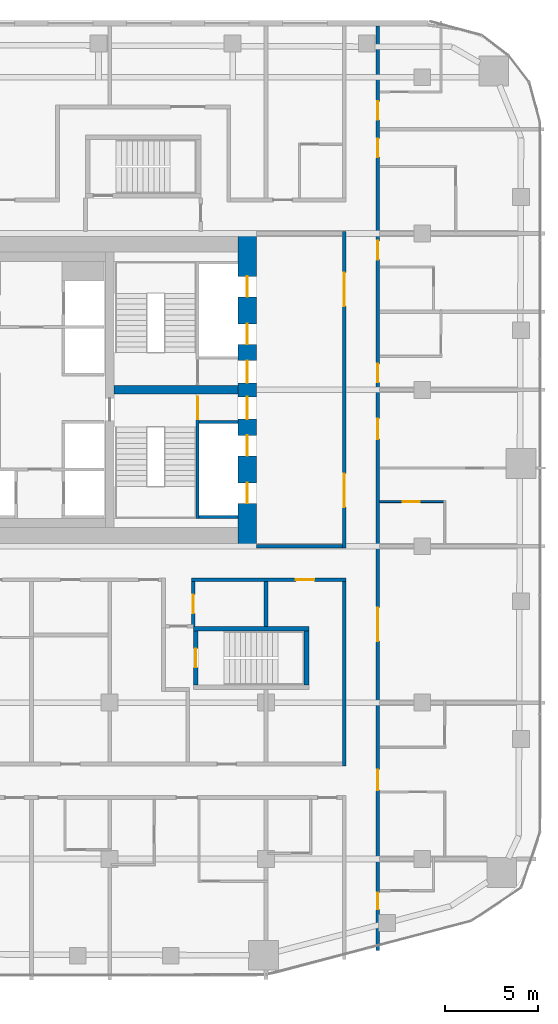
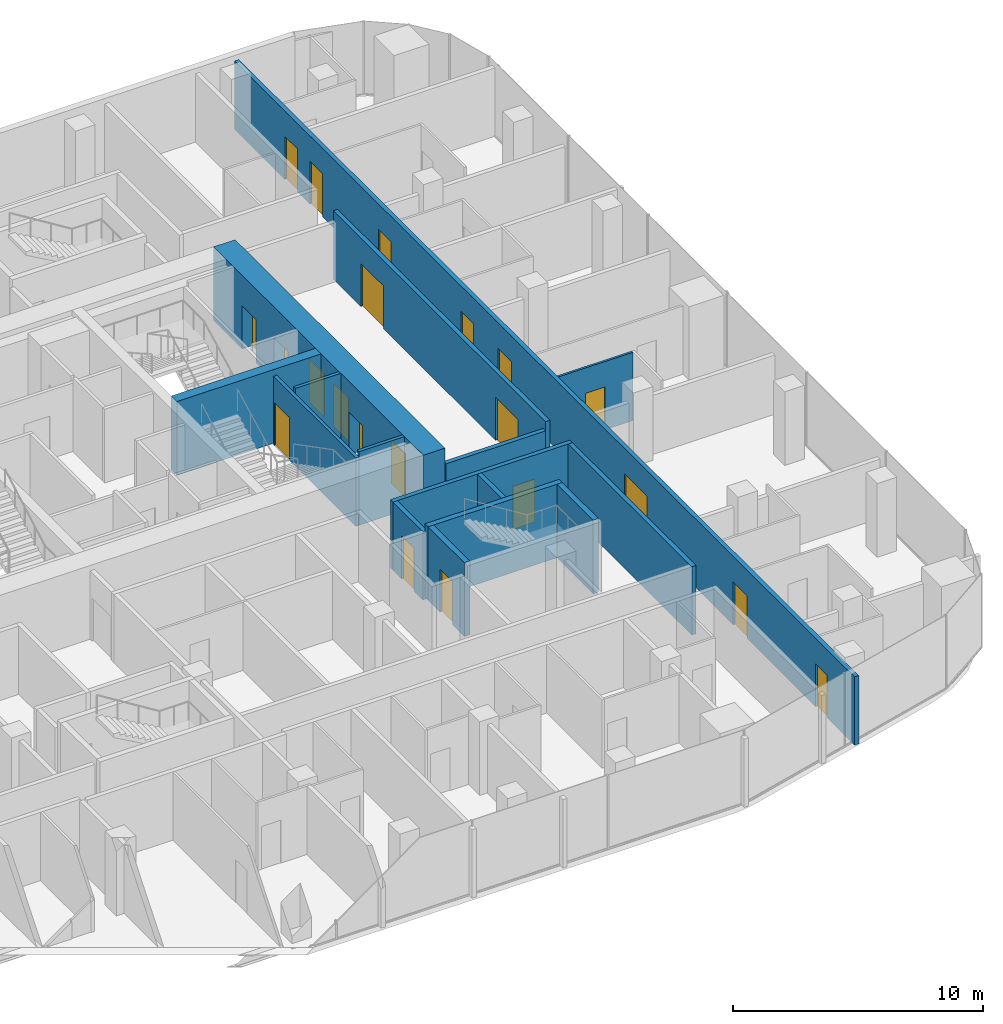
# One storey, part 17 of 23: 21 doors, 16 walls, 21 openings.
"""IFC4 building model written with IfcOpenShell, lengths in metres."""

from ifc_helpers import new_model, si_unit, direction, frame, frame_2d, origin, place, context, subcontext, project, spatial, rectangle, extrude, material, layer, layer_set, type_object, element, fill, save


model = new_model("IFC4")

# Units and contexts
model_context = context("Model", 3, precision=1e-05, world=origin(), true_north=direction((0.0, 1.0)))
body_context = subcontext(model_context, "Body", "Model", "MODEL_VIEW")
ifc_project = project(units=[si_unit("LENGTHUNIT", "METRE"), si_unit("AREAUNIT", "SQUARE_METRE"), si_unit("VOLUMEUNIT", "CUBIC_METRE"), si_unit("PLANEANGLEUNIT", "RADIAN"), si_unit("MASSUNIT", "GRAM", prefix="KILO")], contexts=[model_context])

# Site, building, storey
site_placement = place(None, origin())
site = spatial("IfcSite", under=ifc_project, at=site_placement, CompositionType="ELEMENT")
building_placement = place(site_placement, origin())
building = spatial("IfcBuilding", under=site, at=building_placement, Name="Marenta Gate Hotel Tower", CompositionType="ELEMENT")
storey_placement = place(building_placement, frame((0.0, 0.0, 162.5)))
storey = spatial("IfcBuildingStorey", under=building, at=storey_placement, Name="L38", CompositionType="ELEMENT", Elevation=162.5)

# Wall, openings, doors
ifc_material_1 = material(Name="Concrete blockwork", Category="masonry")
ifc_layer_1 = layer(ifc_material_1, 0.199951171875)
ifc_layer_set_1 = layer_set([ifc_layer_1], Name="Concrete blockwork")
wall_type_1 = type_object("IfcWallType", Name="Core boundary wall 200 REI 180", PredefinedType="PARTITIONING", material=ifc_layer_set_1)
wall_1_placement = place(storey_placement, frame((16.800048828125, -0.10009765625, 0.0), z_axis=(0.0, 0.0, 1.0), x_axis=(0.0, 1.0, 0.0)))
wall_1 = element("IfcWall", 1, at=wall_1_placement, inside=storey, type_object=wall_type_1, Name="L38-CP-BW-E", PredefinedType="PARTITIONING", context=body_context, shape_type="SweptSolid", body=[
    extrude(rectangle(XDim=17.0, YDim=0.199951171875, at=frame_2d((8.5, 0.0))), origin(), (0.0, 0.0, 1.0), 3.340087890625),
])
opening_1_placement = place(wall_1_placement, frame((2.199951171875, 0.0, 0.0)))
opening_1 = element("IfcOpeningElement", 2, at=opening_1_placement, cuts=wall_1, Name="Opening ED-Ea-B", PredefinedType="OPENING", context=body_context, shape_type="SweptSolid", body=[
    extrude(rectangle(XDim=1.800048828125, YDim=2.10009765625, at=frame_2d((0.89990234375, 1.050048828125))), frame((0.0, 0.10009765625, 0.0), z_axis=(0.0, -1.0, 0.0), x_axis=(1.0, 0.0, 0.0)), (0.0, 0.0, 1.0), 0.199951171875),
])
opening_2_placement = place(wall_1_placement, frame((13.0, 0.0, 0.0)))
opening_2 = element("IfcOpeningElement", 3, at=opening_2_placement, cuts=wall_1, Name="Opening ED-Eb-B", PredefinedType="OPENING", context=body_context, shape_type="SweptSolid", body=[
    extrude(rectangle(XDim=1.800048828125, YDim=2.10009765625, at=frame_2d((0.89990234375, 1.050048828125))), frame((0.0, 0.10009765625, 0.0), z_axis=(0.0, -1.0, 0.0), x_axis=(1.0, 0.0, 0.0)), (0.0, 0.0, 1.0), 0.199951171875),
])
ifc_material_2 = material(Name="Steel", Category="steel")
door_type_1 = type_object("IfcDoorType", Name="Core lobby entrance door 1800x2100 EI 60", OperationType="DOUBLE_DOOR_SINGLE_SWING", PredefinedType="DOOR", material=ifc_material_2)
door_1_placement = place(opening_1_placement, origin())
door_1 = element("IfcDoor", 4, at=door_1_placement, inside=storey, type_object=door_type_1, Name="ED-Ea-B", OperationType="DOUBLE_DOOR_SINGLE_SWING", OverallHeight=2.10009765625, OverallWidth=1.800048828125, PredefinedType="DOOR", context=body_context, shape_type="SweptSolid", body=[
    extrude(rectangle(XDim=1.800048828125, YDim=2.10009765625, at=frame_2d((0.89990234375, 1.050048828125))), frame((0.0, 0.02490234375, 0.0), z_axis=(0.0, -1.0, 0.0), x_axis=(1.0, 0.0, 0.0)), (0.0, 0.0, 1.0), 0.050048828125),
])
fill(opening_1, door_1)
door_2_placement = place(opening_2_placement, origin())
door_2 = element("IfcDoor", 5, at=door_2_placement, inside=storey, type_object=door_type_1, Name="ED-Eb-B", OperationType="DOUBLE_DOOR_SINGLE_SWING", OverallHeight=2.10009765625, OverallWidth=1.800048828125, PredefinedType="DOOR", context=body_context, shape_type="SweptSolid", body=[
    extrude(rectangle(XDim=1.800048828125, YDim=2.10009765625, at=frame_2d((0.89990234375, 1.050048828125))), frame((0.0, 0.02490234375, 0.0), z_axis=(0.0, -1.0, 0.0), x_axis=(1.0, 0.0, 0.0)), (0.0, 0.0, 1.0), 0.050048828125),
])
fill(opening_2, door_2)

# Walls
wall_2_placement = place(storey_placement, frame((12.10009765625, 0.0, 0.0), z_axis=(0.0, 0.0, 1.0), x_axis=(1.0, 0.0, 0.0)))
element("IfcWall", 6, at=wall_2_placement, inside=storey, type_object=wall_type_1, Name="L38-CP-EW-ES", PredefinedType="PARTITIONING", context=body_context, shape_type="SweptSolid", body=[
    extrude(rectangle(XDim=4.599853515625, YDim=0.199951171875, at=frame_2d((2.2998046875, 0.0))), origin(), (0.0, 0.0, 1.0), 2.889892578125),
])
ifc_material_3 = material(Name="Concrete C40", Category="concrete")
ifc_layer_2 = layer(ifc_material_3, 0.14990234375)
ifc_layer_set_2 = layer_set([ifc_layer_2], Name="Concrete C40")
wall_type_2 = type_object("IfcWallType", Name="Core shaft wall 150 REI 180", PredefinedType="SHEAR", material=ifc_layer_set_2)
for number, where, z_axis, x_axis, name in (
    (7, (9.0, 6.675048828125, 0.0), (0.0, 0.0, 1.0), (1.0, 0.0, 0.0), "L38-SHF-SW-ES-2"),
    (8, (9.0, 1.574951171875, 0.0), (0.0, 0.0, 1.0), (1.0, 0.0, 0.0), "L38-SHF-SW-ES-5"),
):
    element("IfcWall", number, at=place(storey_placement, frame(where, z_axis=z_axis, x_axis=x_axis)), inside=storey, type_object=wall_type_2, Name=name, PredefinedType="SHEAR", context=body_context, shape_type="SweptSolid", body=[
        extrude(rectangle(XDim=2.10009765625, YDim=0.14990234375, at=frame_2d((1.050048828125, 0.0))), origin(), (0.0, 0.0, 1.0), 3.60009765625),
    ])

# Wall, opening, door
ifc_material_4 = material(Name="Concrete C40", Category="concrete")
ifc_layer_3 = layer(ifc_material_4, 0.14990234375)
ifc_layer_set_3 = layer_set([ifc_layer_3], Name="Concrete C40")
wall_type_3 = type_object("IfcWallType", Name="Core stair enclosure wall 150 REI 180", PredefinedType="SHEAR", material=ifc_layer_set_3)
wall_3_placement = place(storey_placement, frame((8.925048828125, 1.5, 0.0), z_axis=(0.0, 0.0, 1.0), x_axis=(0.0, 1.0, 0.0)))
wall_3 = element("IfcWall", 9, at=wall_3_placement, inside=storey, type_object=wall_type_3, Name="L38-SHF-SW-ES-3", PredefinedType="SHEAR", context=body_context, shape_type="SweptSolid", body=[
    extrude(rectangle(XDim=6.60009765625, YDim=0.14990234375, at=frame_2d((3.300048828125, 0.0))), origin(), (0.0, 0.0, 1.0), 3.340087890625),
])
opening_3_placement = place(wall_3_placement, frame((5.324951171875, 0.0, 0.0)))
opening_3 = element("IfcOpeningElement", 10, at=opening_3_placement, cuts=wall_3, Name="Opening SD-ES", PredefinedType="OPENING", context=body_context, shape_type="SweptSolid", body=[
    extrude(rectangle(XDim=1.199951171875, YDim=2.10009765625, at=frame_2d((0.60009765625, 1.050048828125))), frame((0.0, 0.074951171875, 0.0), z_axis=(0.0, -1.0, 0.0), x_axis=(1.0, 0.0, 0.0)), (0.0, 0.0, 1.0), 0.14990234375),
])
ifc_material_5 = material(Name="Steel", Category="steel")
door_type_2 = type_object("IfcDoorType", Name="Core stair door 1200x2100 FD60", OperationType="SINGLE_SWING_LEFT", PredefinedType="DOOR", material=ifc_material_5)
door_3_placement = place(opening_3_placement, origin())
door_3 = element("IfcDoor", 11, at=door_3_placement, inside=storey, type_object=door_type_2, Name="SD-ES", OperationType="SINGLE_SWING_LEFT", OverallHeight=2.10009765625, OverallWidth=1.199951171875, PredefinedType="DOOR", context=body_context, shape_type="SweptSolid", body=[
    extrude(rectangle(XDim=1.199951171875, YDim=2.10009765625, at=frame_2d((0.60009765625, 1.050048828125))), frame((0.0, 0.02490234375, 0.0), z_axis=(0.0, -1.0, 0.0), x_axis=(1.0, 0.0, 0.0)), (0.0, 0.0, 1.0), 0.050048828125),
])
fill(opening_3, door_3)

# Wall, openings, doors
ifc_material_6 = material(Name="Concrete C70", Category="concrete")
ifc_layer_4 = layer(ifc_material_6, 1.0)
ifc_layer_set_4 = layer_set([ifc_layer_4], Name="Concrete C70")
wall_type_4 = type_object("IfcWallType", Name="Core wall 1000 C70", PredefinedType="SHEAR", material=ifc_layer_set_4)
wall_4_placement = place(storey_placement, frame((11.60009765625, 0.0, 0.0), z_axis=(0.0, 0.0, 1.0), x_axis=(0.0, 1.0, 0.0)))
wall_4 = element("IfcWall", 12, at=wall_4_placement, inside=storey, type_object=wall_type_4, Name="L38-CORE-E", PredefinedType="SHEAR", context=body_context, shape_type="SweptSolid", body=[
    extrude(rectangle(XDim=16.800048828125, YDim=1.0, at=frame_2d((8.39990234375, 0.0))), origin(), (0.0, 0.0, 1.0), 3.60009765625),
])
opening_4_placement = place(wall_4_placement, frame((2.300048828125, 0.0, 0.0)))
opening_4 = element("IfcOpeningElement", 13, at=opening_4_placement, cuts=wall_4, Name="Opening LD-HR1", PredefinedType="OPENING", context=body_context, shape_type="SweptSolid", body=[
    extrude(rectangle(XDim=1.10009765625, YDim=2.10009765625, at=frame_2d((0.550048828125, 1.050048828125))), frame((0.0, 0.5, 0.0), z_axis=(0.0, -1.0, 0.0), x_axis=(1.0, 0.0, 0.0)), (0.0, 0.0, 1.0), 1.0),
])
opening_5_placement = place(wall_4_placement, frame((4.85009765625, 0.0, 0.0)))
opening_5 = element("IfcOpeningElement", 14, at=opening_5_placement, cuts=wall_4, Name="Opening LD-HR2", PredefinedType="OPENING", context=body_context, shape_type="SweptSolid", body=[
    extrude(rectangle(XDim=1.10009765625, YDim=2.10009765625, at=frame_2d((0.550048828125, 1.050048828125))), frame((0.0, 0.5, 0.0), z_axis=(0.0, -1.0, 0.0), x_axis=(1.0, 0.0, 0.0)), (0.0, 0.0, 1.0), 1.0),
])
opening_6_placement = place(wall_4_placement, frame((6.824951171875, 0.0, 0.0)))
opening_6 = element("IfcOpeningElement", 15, at=opening_6_placement, cuts=wall_4, Name="Opening PD-ES", PredefinedType="OPENING", context=body_context, shape_type="SweptSolid", body=[
    extrude(rectangle(XDim=1.199951171875, YDim=2.10009765625, at=frame_2d((0.60009765625, 1.050048828125))), frame((0.0, 0.5, 0.0), z_axis=(0.0, -1.0, 0.0), x_axis=(1.0, 0.0, 0.0)), (0.0, 0.0, 1.0), 1.0),
])
opening_7_placement = place(wall_4_placement, frame((13.39990234375, 0.0, 0.0)))
opening_7 = element("IfcOpeningElement", 16, at=opening_7_placement, cuts=wall_4, Name="Opening LD-HR4", PredefinedType="OPENING", context=body_context, shape_type="SweptSolid", body=[
    extrude(rectangle(XDim=1.10009765625, YDim=2.10009765625, at=frame_2d((0.550048828125, 1.050048828125))), frame((0.0, 0.5, 0.0), z_axis=(0.0, -1.0, 0.0), x_axis=(1.0, 0.0, 0.0)), (0.0, 0.0, 1.0), 1.0),
])
opening_8_placement = place(wall_4_placement, frame((10.85009765625, 0.0, 0.0)))
opening_8 = element("IfcOpeningElement", 17, at=opening_8_placement, cuts=wall_4, Name="Opening LD-HR3", PredefinedType="OPENING", context=body_context, shape_type="SweptSolid", body=[
    extrude(rectangle(XDim=1.10009765625, YDim=2.10009765625, at=frame_2d((0.550048828125, 1.050048828125))), frame((0.0, 0.5, 0.0), z_axis=(0.0, -1.0, 0.0), x_axis=(1.0, 0.0, 0.0)), (0.0, 0.0, 1.0), 1.0),
])
opening_9_placement = place(wall_4_placement, frame((8.77490234375, 0.0, 0.0)))
opening_9 = element("IfcOpeningElement", 18, at=opening_9_placement, cuts=wall_4, Name="Opening PD-EN", PredefinedType="OPENING", context=body_context, shape_type="SweptSolid", body=[
    extrude(rectangle(XDim=1.199951171875, YDim=2.10009765625, at=frame_2d((0.60009765625, 1.050048828125))), frame((0.0, 0.5, 0.0), z_axis=(0.0, -1.0, 0.0), x_axis=(1.0, 0.0, 0.0)), (0.0, 0.0, 1.0), 1.0),
])
ifc_material_7 = material(Name="Steel", Category="steel")
door_type_3 = type_object("IfcDoorType", Name="Core lift landing door 1100x2100 E 60", OperationType="SLIDING_TO_LEFT", PredefinedType="DOOR", material=ifc_material_7)
door_4_placement = place(opening_4_placement, origin())
door_4 = element("IfcDoor", 19, at=door_4_placement, inside=storey, type_object=door_type_3, Name="LD-HR1", OperationType="SLIDING_TO_LEFT", OverallHeight=2.10009765625, OverallWidth=1.10009765625, PredefinedType="DOOR", context=body_context, shape_type="SweptSolid", body=[
    extrude(rectangle(XDim=1.10009765625, YDim=2.10009765625, at=frame_2d((0.550048828125, 1.050048828125))), frame((0.0, 0.02490234375, 0.0), z_axis=(0.0, -1.0, 0.0), x_axis=(1.0, 0.0, 0.0)), (0.0, 0.0, 1.0), 0.050048828125),
])
fill(opening_4, door_4)
door_5_placement = place(opening_5_placement, origin())
door_5 = element("IfcDoor", 20, at=door_5_placement, inside=storey, type_object=door_type_3, Name="LD-HR2", OperationType="SLIDING_TO_LEFT", OverallHeight=2.10009765625, OverallWidth=1.10009765625, PredefinedType="DOOR", context=body_context, shape_type="SweptSolid", body=[
    extrude(rectangle(XDim=1.10009765625, YDim=2.10009765625, at=frame_2d((0.550048828125, 1.050048828125))), frame((0.0, 0.02490234375, 0.0), z_axis=(0.0, -1.0, 0.0), x_axis=(1.0, 0.0, 0.0)), (0.0, 0.0, 1.0), 0.050048828125),
])
fill(opening_5, door_5)
door_6_placement = place(opening_7_placement, origin())
door_6 = element("IfcDoor", 21, at=door_6_placement, inside=storey, type_object=door_type_3, Name="LD-HR4", OperationType="SLIDING_TO_LEFT", OverallHeight=2.10009765625, OverallWidth=1.10009765625, PredefinedType="DOOR", context=body_context, shape_type="SweptSolid", body=[
    extrude(rectangle(XDim=1.10009765625, YDim=2.10009765625, at=frame_2d((0.550048828125, 1.050048828125))), frame((0.0, 0.02490234375, 0.0), z_axis=(0.0, -1.0, 0.0), x_axis=(1.0, 0.0, 0.0)), (0.0, 0.0, 1.0), 0.050048828125),
])
fill(opening_7, door_6)
door_7_placement = place(opening_8_placement, origin())
door_7 = element("IfcDoor", 22, at=door_7_placement, inside=storey, type_object=door_type_3, Name="LD-HR3", OperationType="SLIDING_TO_LEFT", OverallHeight=2.10009765625, OverallWidth=1.10009765625, PredefinedType="DOOR", context=body_context, shape_type="SweptSolid", body=[
    extrude(rectangle(XDim=1.10009765625, YDim=2.10009765625, at=frame_2d((0.550048828125, 1.050048828125))), frame((0.0, 0.02490234375, 0.0), z_axis=(0.0, -1.0, 0.0), x_axis=(1.0, 0.0, 0.0)), (0.0, 0.0, 1.0), 0.050048828125),
])
fill(opening_8, door_7)
ifc_material_8 = material(Name="Steel", Category="steel")
door_type_4 = type_object("IfcDoorType", Name="Core lobby door 1200x2100 FD60", OperationType="SINGLE_SWING_LEFT", PredefinedType="DOOR", material=ifc_material_8)
door_8_placement = place(opening_6_placement, origin())
door_8 = element("IfcDoor", 23, at=door_8_placement, inside=storey, type_object=door_type_4, Name="PD-ES", OperationType="SINGLE_SWING_LEFT", OverallHeight=2.10009765625, OverallWidth=1.199951171875, PredefinedType="DOOR", context=body_context, shape_type="SweptSolid", body=[
    extrude(rectangle(XDim=1.199951171875, YDim=2.10009765625, at=frame_2d((0.60009765625, 1.050048828125))), frame((0.0, 0.02490234375, 0.0), z_axis=(0.0, -1.0, 0.0), x_axis=(1.0, 0.0, 0.0)), (0.0, 0.0, 1.0), 0.050048828125),
])
fill(opening_6, door_8)
door_9_placement = place(opening_9_placement, origin())
door_9 = element("IfcDoor", 24, at=door_9_placement, inside=storey, type_object=door_type_4, Name="PD-EN", OperationType="SINGLE_SWING_LEFT", OverallHeight=2.10009765625, OverallWidth=1.199951171875, PredefinedType="DOOR", context=body_context, shape_type="SweptSolid", body=[
    extrude(rectangle(XDim=1.199951171875, YDim=2.10009765625, at=frame_2d((0.60009765625, 1.050048828125))), frame((0.0, 0.02490234375, 0.0), z_axis=(0.0, -1.0, 0.0), x_axis=(1.0, 0.0, 0.0)), (0.0, 0.0, 1.0), 0.050048828125),
])
fill(opening_9, door_9)

# Walls
ifc_material_9 = material(Name="Concrete C70", Category="concrete")
ifc_layer_5 = layer(ifc_material_9, 0.449951171875)
ifc_layer_set_5 = layer_set([ifc_layer_5], Name="Concrete C70")
wall_type_5 = type_object("IfcWallType", Name="Core web 450 C70", PredefinedType="SHEAR", material=ifc_layer_set_5)
wall_5_placement = place(storey_placement, frame((4.425048828125, 8.39990234375, 0.0), z_axis=(0.0, 0.0, 1.0), x_axis=(1.0, 0.0, 0.0)))
element("IfcWall", 25, at=wall_5_placement, inside=storey, type_object=wall_type_5, Name="L38-CORE-W4", PredefinedType="SHEAR", context=body_context, shape_type="SweptSolid", body=[
    extrude(rectangle(XDim=6.675048828125, YDim=0.449951171875, at=frame_2d((3.33740234375, 0.0))), origin(), (0.0, 0.0, 1.0), 3.60009765625),
])
ifc_material_10 = material(Name="Concrete C40", Category="concrete")
ifc_layer_6 = layer(ifc_material_10, 0.25)
ifc_layer_set_6 = layer_set([ifc_layer_6], Name="Concrete C40")
wall_type_6 = type_object("IfcWallType", Name="Remote stair enclosure wall 250 REI 180", PredefinedType="SHEAR", material=ifc_layer_set_6)
wall_6_placement = place(storey_placement, frame((8.699951171875, -4.425048828125, 0.10009765625), z_axis=(0.0, 0.0, 1.0), x_axis=(1.0, 0.0, 0.0)))
element("IfcWall", 26, at=wall_6_placement, inside=storey, type_object=wall_type_6, Name="L38-RS-Z2-2-W2", PredefinedType="SHEAR", context=body_context, shape_type="SweptSolid", body=[
    extrude(rectangle(XDim=6.199951171875, YDim=0.25, at=frame_2d((3.10009765625, 0.0))), origin(), (0.0, 0.0, 1.0), 3.599853515625),
])

# Wall, opening, door
wall_7_placement = place(storey_placement, frame((8.824951171875, -7.449951171875, 0.10009765625), z_axis=(0.0, 0.0, 1.0), x_axis=(0.0, 1.0, 0.0)))
wall_7 = element("IfcWall", 27, at=wall_7_placement, inside=storey, type_object=wall_type_6, Name="L38-RS-Z2-2-W3", PredefinedType="SHEAR", context=body_context, shape_type="SweptSolid", body=[
    extrude(rectangle(XDim=2.89990234375, YDim=0.25, at=frame_2d((1.449951171875, 0.0))), origin(), (0.0, 0.0, 1.0), 3.599853515625),
])
opening_10_placement = place(wall_7_placement, frame((0.949951171875, 0.0, 0.0)))
opening_10 = element("IfcOpeningElement", 28, at=opening_10_placement, cuts=wall_7, Name="Opening VD", PredefinedType="OPENING", context=body_context, shape_type="SweptSolid", body=[
    extrude(rectangle(XDim=1.0, YDim=2.10009765625, at=frame_2d((0.5, 1.050048828125))), frame((0.0, 0.125, 0.0), z_axis=(0.0, -1.0, 0.0), x_axis=(1.0, 0.0, 0.0)), (0.0, 0.0, 1.0), 0.25),
])
ifc_material_11 = material(Name="Steel", Category="steel")
door_type_5 = type_object("IfcDoorType", Name="Stair vestibule door 1000x2100 FD60", OperationType="SINGLE_SWING_LEFT", PredefinedType="DOOR", material=ifc_material_11)
door_10_placement = place(opening_10_placement, origin())
door_10 = element("IfcDoor", 29, at=door_10_placement, inside=storey, type_object=door_type_5, Name="VD", OperationType="SINGLE_SWING_LEFT", OverallHeight=2.10009765625, OverallWidth=1.0, PredefinedType="DOOR", context=body_context, shape_type="SweptSolid", body=[
    extrude(rectangle(XDim=1.0, YDim=2.10009765625, at=frame_2d((0.5, 1.050048828125))), frame((0.0, 0.02490234375, 0.0), z_axis=(0.0, -1.0, 0.0), x_axis=(1.0, 0.0, 0.0)), (0.0, 0.0, 1.0), 0.050048828125),
])
fill(opening_10, door_10)

# Wall
wall_8_placement = place(storey_placement, frame((14.77490234375, -7.449951171875, 0.10009765625), z_axis=(0.0, 0.0, 1.0), x_axis=(0.0, 1.0, 0.0)))
element("IfcWall", 30, at=wall_8_placement, inside=storey, type_object=wall_type_6, Name="L38-RS-Z2-2-W4", PredefinedType="SHEAR", context=body_context, shape_type="SweptSolid", body=[
    extrude(rectangle(XDim=2.89990234375, YDim=0.25, at=frame_2d((1.449951171875, 0.0))), origin(), (0.0, 0.0, 1.0), 3.599853515625),
])

# Wall, openings, doors
ifc_material_12 = material(Name="Gypsum board on steel stud", Category="steel")
ifc_layer_7 = layer(ifc_material_12, 0.199951171875)
ifc_layer_set_7 = layer_set([ifc_layer_7], Name="Gypsum board on steel stud")
wall_type_7 = type_object("IfcWallType", Name="Room corridor wall 200 EI 60", PredefinedType="PARTITIONING", material=ifc_layer_set_7)
wall_9_placement = place(storey_placement, frame((18.60009765625, -21.7080078125, 0.0), z_axis=(0.0, 0.0, 1.0), x_axis=(0.0, 1.0, 0.0)))
wall_9 = element("IfcWall", 31, at=wall_9_placement, inside=storey, type_object=wall_type_7, Name="L38-PTN-W009", PredefinedType="PARTITIONING", context=body_context, shape_type="SweptSolid", body=[
    extrude(rectangle(XDim=49.64794921875, YDim=0.199951171875, at=frame_2d((24.823974609375, 0.0))), origin(), (0.0, 0.0, 1.0), 3.340087890625),
])
opening_11_placement = place(wall_9_placement, frame((2.2041015625, 0.0, 0.0)))
opening_11 = element("IfcOpeningElement", 32, at=opening_11_placement, cuts=wall_9, Name="Opening G14-08", PredefinedType="OPENING", context=body_context, shape_type="SweptSolid", body=[
    extrude(rectangle(XDim=0.89990234375, YDim=2.10009765625, at=frame_2d((0.449951171875, 1.050048828125))), frame((0.0, 0.10009765625, 0.0), z_axis=(0.0, -1.0, 0.0), x_axis=(1.0, 0.0, 0.0)), (0.0, 0.0, 1.0), 0.199951171875),
])
opening_12_placement = place(wall_9_placement, frame((8.60791015625, 0.0, 0.0)))
opening_12 = element("IfcOpeningElement", 33, at=opening_12_placement, cuts=wall_9, Name="Opening G14-10", PredefinedType="OPENING", context=body_context, shape_type="SweptSolid", body=[
    extrude(rectangle(XDim=1.10009765625, YDim=2.10009765625, at=frame_2d((0.550048828125, 1.050048828125))), frame((0.0, 0.10009765625, 0.0), z_axis=(0.0, -1.0, 0.0), x_axis=(1.0, 0.0, 0.0)), (0.0, 0.0, 1.0), 0.199951171875),
])
opening_13_placement = place(wall_9_placement, frame((16.60791015625, 0.0, 0.0)))
opening_13 = element("IfcOpeningElement", 34, at=opening_13_placement, cuts=wall_9, Name="Opening G14-13", PredefinedType="OPENING", context=body_context, shape_type="SweptSolid", body=[
    extrude(rectangle(XDim=1.800048828125, YDim=2.10009765625, at=frame_2d((0.89990234375, 1.050048828125))), frame((0.0, 0.10009765625, 0.0), z_axis=(0.0, -1.0, 0.0), x_axis=(1.0, 0.0, 0.0)), (0.0, 0.0, 1.0), 0.199951171875),
])
opening_14_placement = place(wall_9_placement, frame((27.4580078125, 0.0, 0.0)))
opening_14 = element("IfcOpeningElement", 35, at=opening_14_placement, cuts=wall_9, Name="Opening G14-14", PredefinedType="OPENING", context=body_context, shape_type="SweptSolid", body=[
    extrude(rectangle(XDim=1.10009765625, YDim=2.10009765625, at=frame_2d((0.550048828125, 1.050048828125))), frame((0.0, 0.10009765625, 0.0), z_axis=(0.0, -1.0, 0.0), x_axis=(1.0, 0.0, 0.0)), (0.0, 0.0, 1.0), 0.199951171875),
])
opening_15_placement = place(wall_9_placement, frame((30.508056640625, 0.0, 0.0)))
opening_15 = element("IfcOpeningElement", 36, at=opening_15_placement, cuts=wall_9, Name="Opening G14-17", PredefinedType="OPENING", context=body_context, shape_type="SweptSolid", body=[
    extrude(rectangle(XDim=1.0, YDim=2.10009765625, at=frame_2d((0.5, 1.050048828125))), frame((0.0, 0.10009765625, 0.0), z_axis=(0.0, -1.0, 0.0), x_axis=(1.0, 0.0, 0.0)), (0.0, 0.0, 1.0), 0.199951171875),
])
opening_16_placement = place(wall_9_placement, frame((37.10791015625, 0.0, 0.0)))
opening_16 = element("IfcOpeningElement", 37, at=opening_16_placement, cuts=wall_9, Name="Opening G14-19", PredefinedType="OPENING", context=body_context, shape_type="SweptSolid", body=[
    extrude(rectangle(XDim=1.0, YDim=2.10009765625, at=frame_2d((0.5, 1.050048828125))), frame((0.0, 0.10009765625, 0.0), z_axis=(0.0, -1.0, 0.0), x_axis=(1.0, 0.0, 0.0)), (0.0, 0.0, 1.0), 0.199951171875),
])
opening_17_placement = place(wall_9_placement, frame((42.60791015625, 0.0, 0.0)))
opening_17 = element("IfcOpeningElement", 38, at=opening_17_placement, cuts=wall_9, Name="Opening G14-21", PredefinedType="OPENING", context=body_context, shape_type="SweptSolid", body=[
    extrude(rectangle(XDim=1.0, YDim=2.10009765625, at=frame_2d((0.5, 1.050048828125))), frame((0.0, 0.10009765625, 0.0), z_axis=(0.0, -1.0, 0.0), x_axis=(1.0, 0.0, 0.0)), (0.0, 0.0, 1.0), 0.199951171875),
])
opening_18_placement = place(wall_9_placement, frame((44.60791015625, 0.0, 0.0)))
opening_18 = element("IfcOpeningElement", 39, at=opening_18_placement, cuts=wall_9, Name="Opening G14-23", PredefinedType="OPENING", context=body_context, shape_type="SweptSolid", body=[
    extrude(rectangle(XDim=1.0, YDim=2.10009765625, at=frame_2d((0.5, 1.050048828125))), frame((0.0, 0.10009765625, 0.0), z_axis=(0.0, -1.0, 0.0), x_axis=(1.0, 0.0, 0.0)), (0.0, 0.0, 1.0), 0.199951171875),
])
ifc_material_13 = material(Name="Timber door leaf", Category="wood")
door_type_6 = type_object("IfcDoorType", Name="Guest room door 1000x2100 EI 30", OperationType="NOTDEFINED", PredefinedType="DOOR", material=ifc_material_13)
door_11_placement = place(opening_15_placement, origin())
door_11 = element("IfcDoor", 40, at=door_11_placement, inside=storey, type_object=door_type_6, Name="L38-PD-D017", OperationType="SINGLE_SWING_LEFT", OverallHeight=2.10009765625, OverallWidth=1.0, PredefinedType="DOOR", context=body_context, shape_type="SweptSolid", body=[
    extrude(rectangle(XDim=1.0, YDim=2.10009765625, at=frame_2d((0.5, 1.050048828125))), frame((0.0, 0.02490234375, 0.0), z_axis=(0.0, -1.0, 0.0), x_axis=(1.0, 0.0, 0.0)), (0.0, 0.0, 1.0), 0.050048828125),
])
fill(opening_15, door_11)
door_12_placement = place(opening_16_placement, origin())
door_12 = element("IfcDoor", 41, at=door_12_placement, inside=storey, type_object=door_type_6, Name="L38-PD-D019", OperationType="SINGLE_SWING_LEFT", OverallHeight=2.10009765625, OverallWidth=1.0, PredefinedType="DOOR", context=body_context, shape_type="SweptSolid", body=[
    extrude(rectangle(XDim=1.0, YDim=2.10009765625, at=frame_2d((0.5, 1.050048828125))), frame((0.0, 0.02490234375, 0.0), z_axis=(0.0, -1.0, 0.0), x_axis=(1.0, 0.0, 0.0)), (0.0, 0.0, 1.0), 0.050048828125),
])
fill(opening_16, door_12)
door_13_placement = place(opening_17_placement, origin())
door_13 = element("IfcDoor", 42, at=door_13_placement, inside=storey, type_object=door_type_6, Name="L38-PD-D021", OperationType="SINGLE_SWING_LEFT", OverallHeight=2.10009765625, OverallWidth=1.0, PredefinedType="DOOR", context=body_context, shape_type="SweptSolid", body=[
    extrude(rectangle(XDim=1.0, YDim=2.10009765625, at=frame_2d((0.5, 1.050048828125))), frame((0.0, 0.02490234375, 0.0), z_axis=(0.0, -1.0, 0.0), x_axis=(1.0, 0.0, 0.0)), (0.0, 0.0, 1.0), 0.050048828125),
])
fill(opening_17, door_13)
door_14_placement = place(opening_18_placement, origin())
door_14 = element("IfcDoor", 43, at=door_14_placement, inside=storey, type_object=door_type_6, Name="L38-PD-D023", OperationType="SINGLE_SWING_LEFT", OverallHeight=2.10009765625, OverallWidth=1.0, PredefinedType="DOOR", context=body_context, shape_type="SweptSolid", body=[
    extrude(rectangle(XDim=1.0, YDim=2.10009765625, at=frame_2d((0.5, 1.050048828125))), frame((0.0, 0.02490234375, 0.0), z_axis=(0.0, -1.0, 0.0), x_axis=(1.0, 0.0, 0.0)), (0.0, 0.0, 1.0), 0.050048828125),
])
fill(opening_18, door_14)
ifc_material_14 = material(Name="Timber door leaf", Category="wood")
door_type_7 = type_object("IfcDoorType", Name="Guest room door 1100x2100 EI 30", OperationType="NOTDEFINED", PredefinedType="DOOR", material=ifc_material_14)
door_15_placement = place(opening_12_placement, origin())
door_15 = element("IfcDoor", 44, at=door_15_placement, inside=storey, type_object=door_type_7, Name="L38-PD-D010", OperationType="SINGLE_SWING_RIGHT", OverallHeight=2.10009765625, OverallWidth=1.10009765625, PredefinedType="DOOR", context=body_context, shape_type="SweptSolid", body=[
    extrude(rectangle(XDim=1.10009765625, YDim=2.10009765625, at=frame_2d((0.550048828125, 1.050048828125))), frame((0.0, 0.02490234375, 0.0), z_axis=(0.0, -1.0, 0.0), x_axis=(1.0, 0.0, 0.0)), (0.0, 0.0, 1.0), 0.050048828125),
])
fill(opening_12, door_15)
door_16_placement = place(opening_14_placement, origin())
door_16 = element("IfcDoor", 45, at=door_16_placement, inside=storey, type_object=door_type_7, Name="L38-PD-D014", OperationType="SINGLE_SWING_RIGHT", OverallHeight=2.10009765625, OverallWidth=1.10009765625, PredefinedType="DOOR", context=body_context, shape_type="SweptSolid", body=[
    extrude(rectangle(XDim=1.10009765625, YDim=2.10009765625, at=frame_2d((0.550048828125, 1.050048828125))), frame((0.0, 0.02490234375, 0.0), z_axis=(0.0, -1.0, 0.0), x_axis=(1.0, 0.0, 0.0)), (0.0, 0.0, 1.0), 0.050048828125),
])
fill(opening_14, door_16)
ifc_material_15 = material(Name="Timber door leaf", Category="wood")
door_type_8 = type_object("IfcDoorType", Name="Guest room door 900x2100 EI 30", OperationType="NOTDEFINED", PredefinedType="DOOR", material=ifc_material_15)
door_17_placement = place(opening_11_placement, origin())
door_17 = element("IfcDoor", 46, at=door_17_placement, inside=storey, type_object=door_type_8, Name="L38-PD-D008", OperationType="SINGLE_SWING_LEFT", OverallHeight=2.10009765625, OverallWidth=0.89990234375, PredefinedType="DOOR", context=body_context, shape_type="SweptSolid", body=[
    extrude(rectangle(XDim=0.89990234375, YDim=2.10009765625, at=frame_2d((0.449951171875, 1.050048828125))), frame((0.0, 0.02490234375, 0.0), z_axis=(0.0, -1.0, 0.0), x_axis=(1.0, 0.0, 0.0)), (0.0, 0.0, 1.0), 0.050048828125),
])
fill(opening_11, door_17)
ifc_material_16 = material(Name="Timber door leaf", Category="wood")
door_type_9 = type_object("IfcDoorType", Name="Room amenity door 1800x2100 EI 30", OperationType="DOUBLE_DOOR_SINGLE_SWING", PredefinedType="DOOR", material=ifc_material_16)
door_18_placement = place(opening_13_placement, origin())
door_18 = element("IfcDoor", 47, at=door_18_placement, inside=storey, type_object=door_type_9, Name="L38-PD-D013", OperationType="DOUBLE_DOOR_SINGLE_SWING", OverallHeight=2.10009765625, OverallWidth=1.800048828125, PredefinedType="DOOR", context=body_context, shape_type="SweptSolid", body=[
    extrude(rectangle(XDim=1.800048828125, YDim=2.10009765625, at=frame_2d((0.89990234375, 1.050048828125))), frame((0.0, 0.02490234375, 0.0), z_axis=(0.0, -1.0, 0.0), x_axis=(1.0, 0.0, 0.0)), (0.0, 0.0, 1.0), 0.050048828125),
])
fill(opening_13, door_18)

# Wall
wall_10_placement = place(storey_placement, frame((16.800048828125, -11.800048828125, 0.0), z_axis=(0.0, 0.0, 1.0), x_axis=(0.0, 1.0, 0.0)))
element("IfcWall", 48, at=wall_10_placement, inside=storey, type_object=wall_type_7, Name="L38-PTN-W017", PredefinedType="PARTITIONING", context=body_context, shape_type="SweptSolid", body=[
    extrude(rectangle(XDim=9.900146484375, YDim=0.199951171875, at=frame_2d((4.9501953125, 0.0))), origin(), (0.0, 0.0, 1.0), 3.340087890625),
])

# Wall, opening, door
wall_11_placement = place(storey_placement, frame((8.699951171875, -4.300048828125, 0.0), z_axis=(0.0, 0.0, 1.0), x_axis=(0.0, 1.0, 0.0)))
wall_11 = element("IfcWall", 49, at=wall_11_placement, inside=storey, type_object=wall_type_7, Name="L38-PTN-W039", PredefinedType="PARTITIONING", context=body_context, shape_type="SweptSolid", body=[
    extrude(rectangle(XDim=2.400146484375, YDim=0.199951171875, at=frame_2d((1.2001953125, 0.0))), origin(), (0.0, 0.0, 1.0), 3.340087890625),
])
opening_19_placement = place(wall_11_placement, frame((0.699951171875, 0.0, 0.0)))
opening_19 = element("IfcOpeningElement", 50, at=opening_19_placement, cuts=wall_11, Name="Opening G14-61", PredefinedType="OPENING", context=body_context, shape_type="SweptSolid", body=[
    extrude(rectangle(XDim=1.0, YDim=2.10009765625, at=frame_2d((0.5, 1.050048828125))), frame((0.0, 0.10009765625, 0.0), z_axis=(0.0, -1.0, 0.0), x_axis=(1.0, 0.0, 0.0)), (0.0, 0.0, 1.0), 0.199951171875),
])
ifc_material_17 = material(Name="Timber door leaf", Category="wood")
door_type_10 = type_object("IfcDoorType", Name="Room amenity door 1000x2100 EI 30", OperationType="NOTDEFINED", PredefinedType="DOOR", material=ifc_material_17)
door_19_placement = place(opening_19_placement, origin())
door_19 = element("IfcDoor", 51, at=door_19_placement, inside=storey, type_object=door_type_10, Name="L38-PD-D061", OperationType="SINGLE_SWING_LEFT", OverallHeight=2.10009765625, OverallWidth=1.0, PredefinedType="DOOR", context=body_context, shape_type="SweptSolid", body=[
    extrude(rectangle(XDim=1.0, YDim=2.10009765625, at=frame_2d((0.5, 1.050048828125))), frame((0.0, 0.02490234375, 0.0), z_axis=(0.0, -1.0, 0.0), x_axis=(1.0, 0.0, 0.0)), (0.0, 0.0, 1.0), 0.050048828125),
])
fill(opening_19, door_19)

wall_12_placement = place(storey_placement, frame((8.60009765625, -1.800048828125, 0.0), z_axis=(0.0, 0.0, 1.0), x_axis=(1.0, 0.0, 0.0)))
wall_12 = element("IfcWall", 52, at=wall_12_placement, inside=storey, type_object=wall_type_7, Name="L38-PTN-W063", PredefinedType="PARTITIONING", context=body_context, shape_type="SweptSolid", body=[
    extrude(rectangle(XDim=8.2998046875, YDim=0.199951171875, at=frame_2d((4.14990234375, 0.0))), origin(), (0.0, 0.0, 1.0), 3.340087890625),
])
opening_20_placement = place(wall_12_placement, frame((5.60009765625, 0.0, 0.0)))
opening_20 = element("IfcOpeningElement", 53, at=opening_20_placement, cuts=wall_12, Name="Opening G14-07", PredefinedType="OPENING", context=body_context, shape_type="SweptSolid", body=[
    extrude(rectangle(XDim=1.0, YDim=2.10009765625, at=frame_2d((0.5, 1.050048828125))), frame((0.0, 0.10009765625, 0.0), z_axis=(0.0, -1.0, 0.0), x_axis=(1.0, 0.0, 0.0)), (0.0, 0.0, 1.0), 0.199951171875),
])
door_20_placement = place(opening_20_placement, origin())
door_20 = element("IfcDoor", 54, at=door_20_placement, inside=storey, type_object=door_type_10, Name="L38-PD-D007", OperationType="SINGLE_SWING_LEFT", OverallHeight=2.10009765625, OverallWidth=1.0, PredefinedType="DOOR", context=body_context, shape_type="SweptSolid", body=[
    extrude(rectangle(XDim=1.0, YDim=2.10009765625, at=frame_2d((0.5, 1.050048828125))), frame((0.0, 0.02490234375, 0.0), z_axis=(0.0, -1.0, 0.0), x_axis=(1.0, 0.0, 0.0)), (0.0, 0.0, 1.0), 0.050048828125),
])
fill(opening_20, door_20)

ifc_material_18 = material(Name="Gypsum board on steel stud", Category="steel")
ifc_layer_8 = layer(ifc_material_18, 0.10009765625)
ifc_layer_set_8 = layer_set([ifc_layer_8], Name="Gypsum board on steel stud")
wall_type_8 = type_object("IfcWallType", Name="Room partition 100", PredefinedType="PARTITIONING", material=ifc_layer_set_8)
wall_13_placement = place(storey_placement, frame((18.699951171875, 2.39990234375, 0.0), z_axis=(0.0, 0.0, 1.0), x_axis=(1.0, 0.0, 0.0)))
wall_13 = element("IfcWall", 55, at=wall_13_placement, inside=storey, type_object=wall_type_8, Name="L38-PTN-W071", PredefinedType="PARTITIONING", context=body_context, shape_type="SweptSolid", body=[
    extrude(rectangle(XDim=3.449951171875, YDim=0.10009765625, at=frame_2d((1.72509765625, 0.0))), origin(), (0.0, 0.0, 1.0), 3.340087890625),
])
opening_21_placement = place(wall_13_placement, frame((1.25, 0.0, 0.0)))
opening_21 = element("IfcOpeningElement", 56, at=opening_21_placement, cuts=wall_13, Name="Opening G14-16", PredefinedType="OPENING", context=body_context, shape_type="SweptSolid", body=[
    extrude(rectangle(XDim=0.89990234375, YDim=2.10009765625, at=frame_2d((0.449951171875, 1.050048828125))), frame((0.0, 0.050048828125, 0.0), z_axis=(0.0, -1.0, 0.0), x_axis=(1.0, 0.0, 0.0)), (0.0, 0.0, 1.0), 0.10009765625),
])
ifc_material_19 = material(Name="Timber door leaf", Category="wood")
door_type_11 = type_object("IfcDoorType", Name="Guest bathroom door 900x2100", OperationType="NOTDEFINED", PredefinedType="DOOR", material=ifc_material_19)
door_21_placement = place(opening_21_placement, origin())
door_21 = element("IfcDoor", 57, at=door_21_placement, inside=storey, type_object=door_type_11, Name="L38-PD-D016", OperationType="SINGLE_SWING_RIGHT", OverallHeight=2.10009765625, OverallWidth=0.89990234375, PredefinedType="DOOR", context=body_context, shape_type="SweptSolid", body=[
    extrude(rectangle(XDim=0.89990234375, YDim=2.10009765625, at=frame_2d((0.449951171875, 1.050048828125))), frame((0.0, 0.02490234375, 0.0), z_axis=(0.0, -1.0, 0.0), x_axis=(1.0, 0.0, 0.0)), (0.0, 0.0, 1.0), 0.050048828125),
])
fill(opening_21, door_21)

# Wall
ifc_material_20 = material(Name="Gypsum board on steel stud", Category="steel")
ifc_layer_9 = layer(ifc_material_20, 0.199951171875)
ifc_layer_set_9 = layer_set([ifc_layer_9], Name="Gypsum board on steel stud")
wall_type_9 = type_object("IfcWallType", Name="Room party wall 200 EI 60", PredefinedType="PARTITIONING", material=ifc_layer_set_9)
wall_14_placement = place(storey_placement, frame((12.60009765625, -4.300048828125, 0.0), z_axis=(0.0, 0.0, 1.0), x_axis=(0.0, 1.0, 0.0)))
element("IfcWall", 58, at=wall_14_placement, inside=storey, type_object=wall_type_9, Name="L38-PTN-W031", PredefinedType="PARTITIONING", context=body_context, shape_type="SweptSolid", body=[
    extrude(rectangle(XDim=2.400146484375, YDim=0.199951171875, at=frame_2d((1.2001953125, 0.0))), origin(), (0.0, 0.0, 1.0), 3.340087890625),
])

save(model, "model.ifc")
